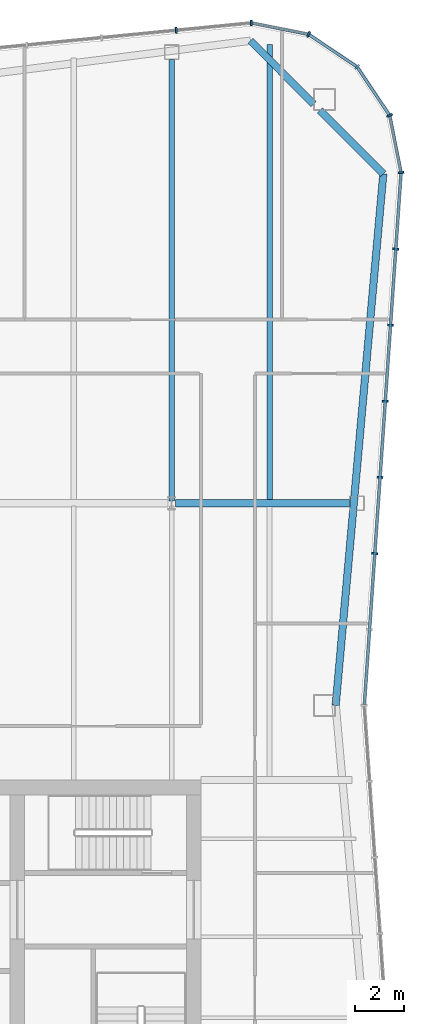
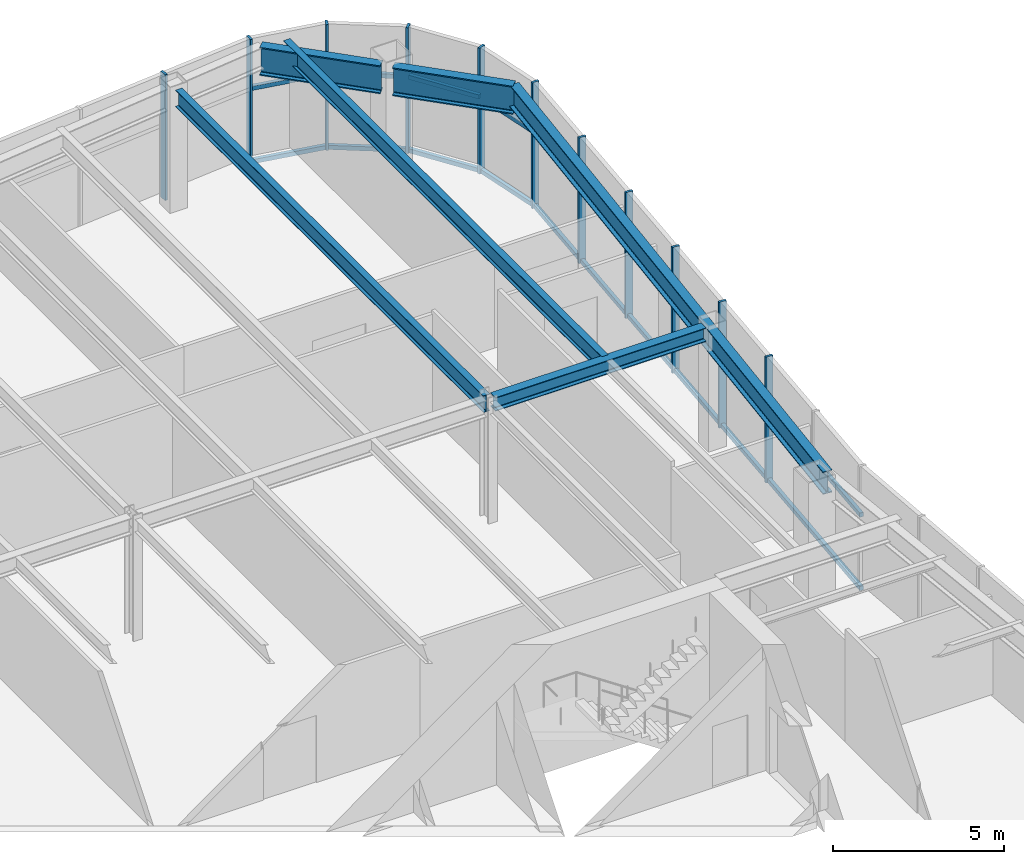
# One storey, part 7 of 13: 21 members, 6 beams, 3 elements without a shape of their own.
"""IFC4 building model written with IfcOpenShell, lengths in metres."""

from ifc_helpers import new_model, si_unit, direction, frame, origin, origin_2d, place, context, subcontext, project, spatial, rectangle, i_section, extrude, material, material_profile, profile_set, type_object, element, aggregate, save


model = new_model("IFC4")

# Units and contexts
model_context = context("Model", 3, precision=1e-05, world=origin(), true_north=direction((0.0, 1.0)))
body_context = subcontext(model_context, "Body", "Model", "MODEL_VIEW")
ifc_project = project(units=[si_unit("LENGTHUNIT", "METRE"), si_unit("AREAUNIT", "SQUARE_METRE"), si_unit("VOLUMEUNIT", "CUBIC_METRE"), si_unit("PLANEANGLEUNIT", "RADIAN"), si_unit("MASSUNIT", "GRAM", prefix="KILO")], contexts=[model_context])

# Site, building, storey
site_placement = place(None, origin())
site = spatial("IfcSite", under=ifc_project, at=site_placement, CompositionType="ELEMENT")
building_placement = place(site_placement, origin())
building = spatial("IfcBuilding", under=site, at=building_placement, Name="Verdant Reach Tower", CompositionType="ELEMENT")
storey_placement = place(building_placement, frame((0.0, 0.0, 359.5)))
storey = spatial("IfcBuildingStorey", under=building, at=storey_placement, Name="L81 Plant", CompositionType="ELEMENT", Elevation=359.5)

# Curtain wall, members
ifc_material_1 = material(Name="Anodised aluminium", Category="aluminium")
curtain_wall_type = type_object("IfcCurtainWallType", Name="EN-CW SYSTEM PLANT", PredefinedType="NOTDEFINED", material=ifc_material_1)
curtain_wall_1_placement = place(storey_placement, origin())
curtain_wall_1 = element("IfcCurtainWall", 1, at=curtain_wall_1_placement, inside=storey, type_object=curtain_wall_type, Name="Curtain wall east, L81", PredefinedType="NOTDEFINED")
ifc_material_profile_1 = material_profile(ifc_material_1, rectangle(XDim=0.238037109375, YDim=0.080078125, at=origin_2d()), Name="Mullion 80x240")
ifc_profile_set_1 = profile_set([ifc_material_profile_1], Name="Anodised aluminium")
member_type_1 = type_object("IfcMemberType", Name="EN-MULLION PLANT", PredefinedType="MULLION", material=ifc_profile_set_1)
member_1_placement = place(storey_placement, frame((20.29736328125, 47.4560546875, -0.35009765625), z_axis=(0.0, 0.0, 1.0), x_axis=(0.997630328423, -0.068802091615, 0.0)))
member_1 = element("IfcMember", 2, at=member_1_placement, type_object=member_type_1, Name="Mullion east face part 2 3, L81", PredefinedType="MULLION", context=body_context, shape_type="SweptSolid", body=[
    extrude(rectangle(XDim=0.238037109375, YDim=0.080078125, at=origin_2d()), origin(), (0.0, 0.0, 1.0), 4.5),
])
member_2_placement = place(storey_placement, frame((20.511474609375, 50.563232421875, -0.35009765625), z_axis=(0.0, 0.0, 1.0), x_axis=(0.997630328423, -0.068802091615, 0.0)))
member_2 = element("IfcMember", 3, at=member_2_placement, type_object=member_type_1, Name="Mullion east face part 2 4, L81", PredefinedType="MULLION", context=body_context, shape_type="SweptSolid", body=[
    extrude(rectangle(XDim=0.238037109375, YDim=0.080078125, at=origin_2d()), origin(), (0.0, 0.0, 1.0), 4.5),
])
member_3_placement = place(storey_placement, frame((20.725830078125, 53.67041015625, -0.35009765625), z_axis=(0.0, 0.0, 1.0), x_axis=(0.997630328423, -0.068802091615, 0.0)))
member_3 = element("IfcMember", 4, at=member_3_placement, type_object=member_type_1, Name="Mullion east face part 2 5, L81", PredefinedType="MULLION", context=body_context, shape_type="SweptSolid", body=[
    extrude(rectangle(XDim=0.238037109375, YDim=0.080078125, at=origin_2d()), origin(), (0.0, 0.0, 1.0), 4.5),
])
member_4_placement = place(storey_placement, frame((20.940185546875, 56.777587890625, -0.35009765625), z_axis=(0.0, 0.0, 1.0), x_axis=(0.997630328423, -0.068802091615, 0.0)))
member_4 = element("IfcMember", 5, at=member_4_placement, type_object=member_type_1, Name="Mullion east face part 2 6, L81", PredefinedType="MULLION", context=body_context, shape_type="SweptSolid", body=[
    extrude(rectangle(XDim=0.238037109375, YDim=0.080078125, at=origin_2d()), origin(), (0.0, 0.0, 1.0), 4.5),
])
member_5_placement = place(storey_placement, frame((21.154541015625, 59.884765625, -0.35009765625), z_axis=(0.0, 0.0, 1.0), x_axis=(0.997630328423, -0.068802091615, 0.0)))
member_5 = element("IfcMember", 6, at=member_5_placement, type_object=member_type_1, Name="Mullion east face part 2 7, L81", PredefinedType="MULLION", context=body_context, shape_type="SweptSolid", body=[
    extrude(rectangle(XDim=0.238037109375, YDim=0.080078125, at=origin_2d()), origin(), (0.0, 0.0, 1.0), 4.5),
])

curtain_wall_2_placement = place(storey_placement, origin())
curtain_wall_2 = element("IfcCurtainWall", 7, at=curtain_wall_2_placement, inside=storey, type_object=curtain_wall_type, Name="Curtain wall north-east corner, L81", PredefinedType="NOTDEFINED")
member_6_placement = place(storey_placement, frame((21.36865234375, 63.007568359375, -0.35009765625), z_axis=(0.0, 0.0, 1.0), x_axis=(0.997969180898, 0.063698618332, 0.0)))
member_6 = element("IfcMember", 8, at=member_6_placement, type_object=member_type_1, Name="Mullion north-east corner 1, L81", PredefinedType="MULLION", context=body_context, shape_type="SweptSolid", body=[
    extrude(rectangle(XDim=0.238037109375, YDim=0.080078125, at=origin_2d()), origin(), (0.0, 0.0, 1.0), 4.5),
])
member_7_placement = place(storey_placement, frame((20.9033203125, 65.341552734375, -0.35009765625), z_axis=(0.0, 0.0, 1.0), x_axis=(0.923875215753, 0.382693853776, 0.0)))
member_7 = element("IfcMember", 9, at=member_7_placement, type_object=member_type_1, Name="Mullion north-east corner 2, L81", PredefinedType="MULLION", context=body_context, shape_type="SweptSolid", body=[
    extrude(rectangle(XDim=0.238037109375, YDim=0.080078125, at=origin_2d()), origin(), (0.0, 0.0, 1.0), 4.5),
])
member_8_placement = place(storey_placement, frame((19.57666015625, 67.32666015625, -0.35009765625), z_axis=(0.0, 0.0, 1.0), x_axis=(0.707106781187, 0.707106781187, 0.0)))
member_8 = element("IfcMember", 10, at=member_8_placement, type_object=member_type_1, Name="Mullion north-east corner 3, L81", PredefinedType="MULLION", context=body_context, shape_type="SweptSolid", body=[
    extrude(rectangle(XDim=0.238037109375, YDim=0.080078125, at=origin_2d()), origin(), (0.0, 0.0, 1.0), 4.5),
])
member_9_placement = place(storey_placement, frame((17.591552734375, 68.6533203125, -0.35009765625), z_axis=(0.0, 0.0, 1.0), x_axis=(0.382693853776, 0.923875215753, 0.0)))
member_9 = element("IfcMember", 11, at=member_9_placement, type_object=member_type_1, Name="Mullion north-east corner 4, L81", PredefinedType="MULLION", context=body_context, shape_type="SweptSolid", body=[
    extrude(rectangle(XDim=0.238037109375, YDim=0.080078125, at=origin_2d()), origin(), (0.0, 0.0, 1.0), 4.5),
])

curtain_wall_3_placement = place(storey_placement, origin())
curtain_wall_3 = element("IfcCurtainWall", 12, at=curtain_wall_3_placement, inside=storey, type_object=curtain_wall_type, Name="Curtain wall north, L81", PredefinedType="NOTDEFINED")
member_10_placement = place(storey_placement, frame((15.255859375, 69.118896484375, -0.35009765625), z_axis=(0.0, 0.0, 1.0), x_axis=(0.049127596288, 0.998792510626, 0.0)))
member_10 = element("IfcMember", 13, at=member_10_placement, type_object=member_type_1, Name="Mullion north face part 1 1, L81", PredefinedType="MULLION", context=body_context, shape_type="SweptSolid", body=[
    extrude(rectangle(XDim=0.238037109375, YDim=0.080078125, at=origin_2d()), origin(), (0.0, 0.0, 1.0), 4.5),
])
member_11_placement = place(storey_placement, frame((12.188232421875, 68.818359375, -0.35009765625), z_axis=(0.0, 0.0, 1.0), x_axis=(-0.09788826992, 0.995197410875, 0.0)))
member_11 = element("IfcMember", 14, at=member_11_placement, type_object=member_type_1, Name="Mullion north face part 1 2, L81", PredefinedType="MULLION", context=body_context, shape_type="SweptSolid", body=[
    extrude(rectangle(XDim=0.238037109375, YDim=0.080078125, at=origin_2d()), origin(), (0.0, 0.0, 1.0), 4.5),
])
aggregate(curtain_wall_3, [member_10, member_11])

# Member
ifc_material_profile_2 = material_profile(ifc_material_1, rectangle(XDim=0.1201171875, YDim=0.14990234375, at=origin_2d()), Name="Transom 150x120")
ifc_profile_set_2 = profile_set([ifc_material_profile_2], Name="Anodised aluminium")
member_type_2 = type_object("IfcMemberType", Name="EN-TRANSOM PLANT", PredefinedType="USERDEFINED", material=ifc_profile_set_2)
member_12_placement = place(storey_placement, frame((19.871826171875, 41.289794921875, -0.27490234375), z_axis=(0.068761218296, 0.997633146431, 0.0), x_axis=(-0.997633146431, 0.068761218296, 0.0)))
member_12 = element("IfcMember", 15, at=member_12_placement, type_object=member_type_2, Name="Transom east face part 2 1.1, L81", ObjectType="TRANSOM", PredefinedType="USERDEFINED", context=body_context, shape_type="SweptSolid", body=[
    extrude(rectangle(XDim=0.1201171875, YDim=0.14990234375, at=origin_2d()), origin(), (0.0, 0.0, 1.0), 21.7294921875),
])

member_13_placement = place(storey_placement, frame((19.871826171875, 41.289794921875, 2.35009765625), z_axis=(0.068761218296, 0.997633146431, 0.0), x_axis=(-0.997633146431, 0.068761218296, 0.0)))
member_13 = element("IfcMember", 16, at=member_13_placement, type_object=member_type_2, Name="Transom east face part 2 1.2, L81", ObjectType="TRANSOM", PredefinedType="USERDEFINED", context=body_context, shape_type="SweptSolid", body=[
    extrude(rectangle(XDim=0.1201171875, YDim=0.14990234375, at=origin_2d()), origin(), (0.0, 0.0, 1.0), 21.7294921875),
])

aggregate(curtain_wall_1, [member_1, member_2, member_3, member_4, member_5, member_12, member_13])

member_14_placement = place(storey_placement, frame((21.36083984375, 63.046875, -0.27490234375), z_axis=(-0.195524121666, 0.980698892549, 0.0), x_axis=(-0.980698892549, -0.195524121666, 0.0)))
member_14 = element("IfcMember", 17, at=member_14_placement, type_object=member_type_2, Name="Transom north-east corner 1.1, L81", ObjectType="TRANSOM", PredefinedType="USERDEFINED", context=body_context, shape_type="SweptSolid", body=[
    extrude(rectangle(XDim=0.1201171875, YDim=0.14990234375, at=origin_2d()), origin(), (0.0, 0.0, 1.0), 2.300048828125),
])

member_15_placement = place(storey_placement, frame((20.881103515625, 65.375, -0.27490234375), z_axis=(-0.5556764556, 0.831398626828, 0.0), x_axis=(-0.831398626828, -0.5556764556, 0.0)))
member_15 = element("IfcMember", 18, at=member_15_placement, type_object=member_type_2, Name="Transom north-east corner 2.1, L81", ObjectType="TRANSOM", PredefinedType="USERDEFINED", context=body_context, shape_type="SweptSolid", body=[
    extrude(rectangle(XDim=0.1201171875, YDim=0.14990234375, at=origin_2d()), origin(), (0.0, 0.0, 1.0), 2.3076171875),
])

member_16_placement = place(storey_placement, frame((19.54345703125, 67.348876953125, -0.27490234375), z_axis=(-0.831398626828, 0.5556764556, 0.0), x_axis=(-0.5556764556, -0.831398626828, 0.0)))
member_16 = element("IfcMember", 19, at=member_16_placement, type_object=member_type_2, Name="Transom north-east corner 3.1, L81", ObjectType="TRANSOM", PredefinedType="USERDEFINED", context=body_context, shape_type="SweptSolid", body=[
    extrude(rectangle(XDim=0.1201171875, YDim=0.14990234375, at=origin_2d()), origin(), (0.0, 0.0, 1.0), 2.3076171875),
])

member_17_placement = place(storey_placement, frame((17.552490234375, 68.6611328125, -0.27490234375), z_axis=(-0.980706937788, 0.195483764476, 0.0), x_axis=(-0.195483764476, -0.980706937788, 0.0)))
member_17 = element("IfcMember", 20, at=member_17_placement, type_object=member_type_2, Name="Transom north-east corner 4.1, L81", ObjectType="TRANSOM", PredefinedType="USERDEFINED", context=body_context, shape_type="SweptSolid", body=[
    extrude(rectangle(XDim=0.1201171875, YDim=0.14990234375, at=origin_2d()), origin(), (0.0, 0.0, 1.0), 2.3017578125),
])

member_18_placement = place(storey_placement, frame((21.36083984375, 63.046875, 2.35009765625), z_axis=(-0.195524121666, 0.980698892549, 0.0), x_axis=(-0.980698892549, -0.195524121666, 0.0)))
member_18 = element("IfcMember", 21, at=member_18_placement, type_object=member_type_2, Name="Transom north-east corner 1.2, L81", ObjectType="TRANSOM", PredefinedType="USERDEFINED", context=body_context, shape_type="SweptSolid", body=[
    extrude(rectangle(XDim=0.1201171875, YDim=0.14990234375, at=origin_2d()), origin(), (0.0, 0.0, 1.0), 2.300048828125),
])

member_19_placement = place(storey_placement, frame((20.881103515625, 65.375, 2.35009765625), z_axis=(-0.5556764556, 0.831398626828, 0.0), x_axis=(-0.831398626828, -0.5556764556, 0.0)))
member_19 = element("IfcMember", 22, at=member_19_placement, type_object=member_type_2, Name="Transom north-east corner 2.2, L81", ObjectType="TRANSOM", PredefinedType="USERDEFINED", context=body_context, shape_type="SweptSolid", body=[
    extrude(rectangle(XDim=0.1201171875, YDim=0.14990234375, at=origin_2d()), origin(), (0.0, 0.0, 1.0), 2.3076171875),
])

member_20_placement = place(storey_placement, frame((19.54345703125, 67.348876953125, 2.35009765625), z_axis=(-0.831398626828, 0.5556764556, 0.0), x_axis=(-0.5556764556, -0.831398626828, 0.0)))
member_20 = element("IfcMember", 23, at=member_20_placement, type_object=member_type_2, Name="Transom north-east corner 3.2, L81", ObjectType="TRANSOM", PredefinedType="USERDEFINED", context=body_context, shape_type="SweptSolid", body=[
    extrude(rectangle(XDim=0.1201171875, YDim=0.14990234375, at=origin_2d()), origin(), (0.0, 0.0, 1.0), 2.3076171875),
])

member_21_placement = place(storey_placement, frame((17.552490234375, 68.6611328125, 2.35009765625), z_axis=(-0.980706937788, 0.195483764476, 0.0), x_axis=(-0.195483764476, -0.980706937788, 0.0)))
member_21 = element("IfcMember", 24, at=member_21_placement, type_object=member_type_2, Name="Transom north-east corner 4.2, L81", ObjectType="TRANSOM", PredefinedType="USERDEFINED", context=body_context, shape_type="SweptSolid", body=[
    extrude(rectangle(XDim=0.1201171875, YDim=0.14990234375, at=origin_2d()), origin(), (0.0, 0.0, 1.0), 2.3017578125),
])

aggregate(curtain_wall_2, [member_6, member_7, member_8, member_9, member_14, member_15, member_16, member_17, member_18, member_19, member_20, member_21])

# Beams
ifc_material_2 = material(Name="Steel S355", Category="steel")
ifc_material_profile_3 = material_profile(ifc_material_2, i_section(OverallWidth=0.300048828125, OverallDepth=0.489990234375, WebThickness=0.011962890625, FlangeThickness=0.02294921875, FilletRadius=0.027099609375, at=origin_2d()), Name="HEA 500")
ifc_profile_set_3 = profile_set([ifc_material_profile_3], Name="Steel S355")
beam_type_1 = type_object("IfcBeamType", Name="ST-BEAM-HEA500", PredefinedType="BEAM", material=ifc_profile_set_3)
beam_1_placement = place(storey_placement, frame((12.153076171875, 49.5, 4.10498046875), z_axis=(1.0, 0.0, 0.0), x_axis=(0.0, 1.0, 0.0)))
element("IfcBeam", 25, at=beam_1_placement, inside=storey, type_object=beam_type_1, Name="Row girder, L81 Plant", PredefinedType="BEAM", context=body_context, shape_type="SweptSolid", body=[
    extrude(i_section(OverallWidth=0.300048828125, OverallDepth=0.489990234375, WebThickness=0.011962890625, FlangeThickness=0.02294921875, FilletRadius=0.027099609375, at=origin_2d()), origin(), (0.0, 0.0, 1.0), 7.115966796875),
])
ifc_material_profile_4 = material_profile(ifc_material_2, i_section(OverallWidth=0.219970703125, OverallDepth=0.60009765625, WebThickness=0.011962890625, FlangeThickness=0.01904296875, FilletRadius=0.02392578125, at=origin_2d()), Name="IPE 600")
ifc_profile_set_4 = profile_set([ifc_material_profile_4], Name="Steel S355")
beam_type_2 = type_object("IfcBeamType", Name="ST-JOIST-IPE600", PredefinedType="JOIST", material=ifc_profile_set_4)
beam_2_placement = place(storey_placement, frame((12.0, 49.60009765625, 4.050048828125), z_axis=(0.0, 1.0, 0.0), x_axis=(-1.0, 0.0, 0.0)))
element("IfcBeam", 26, at=beam_2_placement, inside=storey, type_object=beam_type_2, Name="Floor joist, L81 Plant", PredefinedType="JOIST", context=body_context, shape_type="SweptSolid", body=[
    extrude(i_section(OverallWidth=0.219970703125, OverallDepth=0.60009765625, WebThickness=0.011962890625, FlangeThickness=0.01904296875, FilletRadius=0.02392578125, at=origin_2d()), origin(), (0.0, 0.0, 1.0), 18.0302734375),
])
beam_3_placement = place(storey_placement, frame((16.0, 49.60009765625, 4.050048828125), z_axis=(0.0, 1.0, 0.0), x_axis=(-1.0, 0.0, 0.0)))
element("IfcBeam", 27, at=beam_3_placement, inside=storey, type_object=beam_type_2, Name="Floor joist, L81 Plant", PredefinedType="JOIST", context=body_context, shape_type="SweptSolid", body=[
    extrude(i_section(OverallWidth=0.219970703125, OverallDepth=0.60009765625, WebThickness=0.011962890625, FlangeThickness=0.01904296875, FilletRadius=0.02392578125, at=origin_2d()), origin(), (0.0, 0.0, 1.0), 18.638916015625),
])
ifc_material_profile_5 = material_profile(ifc_material_2, i_section(OverallWidth=0.300048828125, OverallDepth=0.800048828125, WebThickness=0.017578125, FlangeThickness=0.032958984375, FilletRadius=0.030029296875, at=origin_2d()), Name="HEB 800")
ifc_profile_set_5 = profile_set([ifc_material_profile_5], Name="Steel S355")
beam_type_3 = type_object("IfcBeamType", Name="ST-SPANDREL-HEB800", PredefinedType="SPANDREL", material=ifc_profile_set_5)
beam_4_placement = place(storey_placement, frame((20.64599609375, 62.96142578125, 3.949951171875), z_axis=(-0.089274399498, -0.996007069048, 0.0), x_axis=(0.996007069048, -0.089274399498, 0.0)))
element("IfcBeam", 28, at=beam_4_placement, inside=storey, type_object=beam_type_3, Name="Edge beam, L81 Plant", PredefinedType="SPANDREL", context=body_context, shape_type="SweptSolid", body=[
    extrude(i_section(OverallWidth=0.300048828125, OverallDepth=0.800048828125, WebThickness=0.017578125, FlangeThickness=0.032958984375, FilletRadius=0.030029296875, at=origin_2d()), origin(), (0.0, 0.0, 1.0), 21.798583984375),
])
ifc_material_profile_6 = material_profile(ifc_material_2, i_section(OverallWidth=0.302001953125, OverallDepth=1.008056640625, WebThickness=0.02099609375, FlangeThickness=0.0400390625, FilletRadius=0.030029296875, at=origin_2d()), Name="HEM 1000")
ifc_profile_set_6 = profile_set([ifc_material_profile_6], Name="Steel S355")
beam_type_4 = type_object("IfcBeamType", Name="ST-SPANDREL-HEM1000", PredefinedType="SPANDREL", material=ifc_profile_set_6)
beam_5_placement = place(storey_placement, frame((15.22021484375, 68.394287109375, 3.845947265625), z_axis=(0.706638520854, -0.707574731632, 0.0), x_axis=(0.707574731632, 0.706638520854, 0.0)))
element("IfcBeam", 29, at=beam_5_placement, inside=storey, type_object=beam_type_4, Name="Edge beam, L81 Plant", PredefinedType="SPANDREL", context=body_context, shape_type="SweptSolid", body=[
    extrude(i_section(OverallWidth=0.302001953125, OverallDepth=1.008056640625, WebThickness=0.02099609375, FlangeThickness=0.0400390625, FilletRadius=0.030029296875, at=origin_2d()), origin(), (0.0, 0.0, 1.0), 3.65087890625),
])
beam_6_placement = place(storey_placement, frame((18.060791015625, 65.550048828125, 3.845947265625), z_axis=(0.706639493403, -0.707573760369, 0.0), x_axis=(0.707573760369, 0.706639493403, 0.0)))
element("IfcBeam", 30, at=beam_6_placement, inside=storey, type_object=beam_type_4, Name="Edge beam, L81 Plant", PredefinedType="SPANDREL", context=body_context, shape_type="SweptSolid", body=[
    extrude(i_section(OverallWidth=0.302001953125, OverallDepth=1.008056640625, WebThickness=0.02099609375, FlangeThickness=0.0400390625, FilletRadius=0.030029296875, at=origin_2d()), origin(), (0.0, 0.0, 1.0), 3.658447265625),
])

save(model, "model.ifc")
